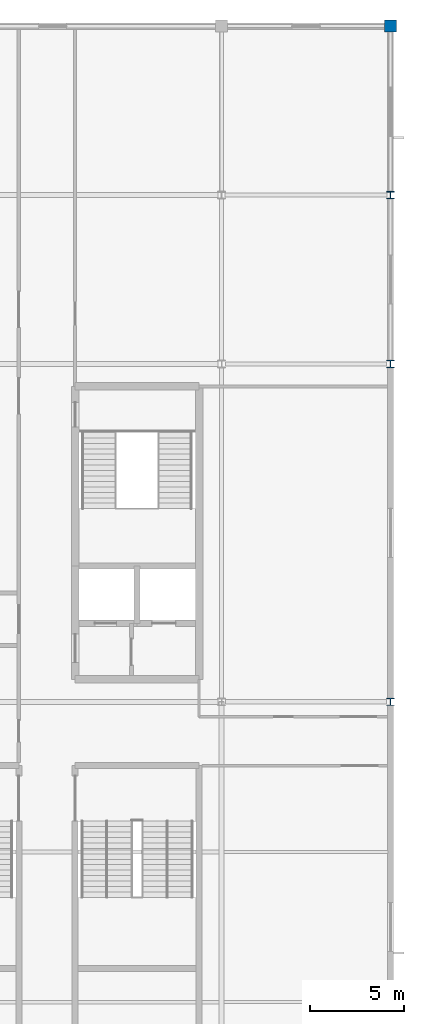
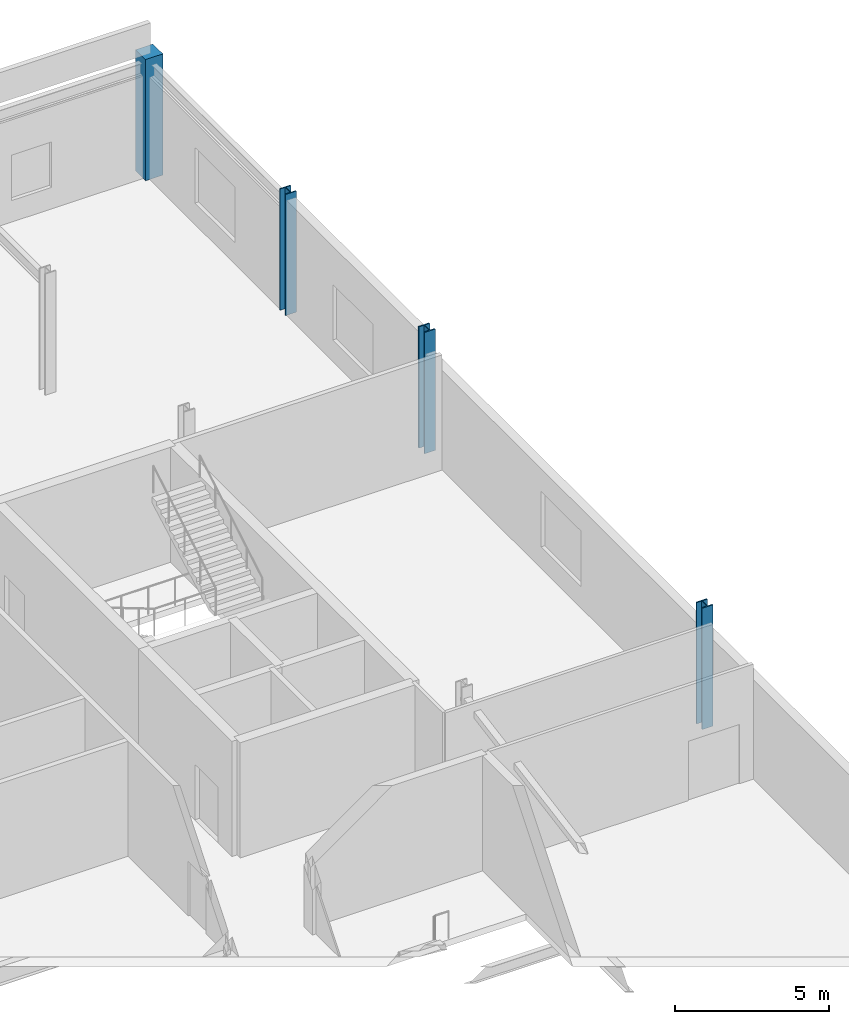
# One storey, part 11 of 136: 4 columns.
"""IFC4 building model written with IfcOpenShell, lengths in metres."""

from ifc_helpers import new_model, si_unit, direction, frame, origin, origin_2d, place, context, subcontext, project, spatial, rectangle, i_section, extrude, material, material_profile, profile_set, type_object, element, save


model = new_model("IFC4")

# Units and contexts
model_context = context("Model", 3, precision=1e-05, world=origin(), true_north=direction((0.0, 1.0)))
body_context = subcontext(model_context, "Body", "Model", "MODEL_VIEW")
ifc_project = project(units=[si_unit("LENGTHUNIT", "METRE"), si_unit("AREAUNIT", "SQUARE_METRE"), si_unit("VOLUMEUNIT", "CUBIC_METRE"), si_unit("PLANEANGLEUNIT", "RADIAN"), si_unit("MASSUNIT", "GRAM", prefix="KILO")], contexts=[model_context])

# Site, building, storey
site_placement = place(None, origin())
site = spatial("IfcSite", under=ifc_project, at=site_placement, CompositionType="ELEMENT")
building_placement = place(site_placement, origin())
building = spatial("IfcBuilding", under=site, at=building_placement, Name="Kisiwana Market Hall", CompositionType="ELEMENT")
storey_placement = place(building_placement, frame((0.0, 0.0, 16.800048828125)))
storey = spatial("IfcBuildingStorey", under=building, at=storey_placement, Name="L03", CompositionType="ELEMENT", Elevation=16.800048828125)

# Columns
ifc_material_1 = material(Name="Concrete C40/50", Category="concrete")
ifc_material_profile_1 = material_profile(ifc_material_1, rectangle(XDim=0.64990234375, YDim=0.64990234375, at=origin_2d()), Name="RC 650x650")
ifc_profile_set_1 = profile_set([ifc_material_profile_1], Name="Concrete C40/50")
column_type_1 = type_object("IfcColumnType", Name="COL-RC-POD-650", PredefinedType="COLUMN", material=ifc_profile_set_1)
column_1_placement = place(storey_placement, frame((198.0, 120.0, 0.0), z_axis=(0.0, 0.0, 1.0), x_axis=(1.0, 0.0, 0.0)))
element("IfcColumn", 1, at=column_1_placement, inside=storey, type_object=column_type_1, Name="Column Q/23 (L03) C-0783", PredefinedType="COLUMN", context=body_context, shape_type="SweptSolid", body=[
    extrude(rectangle(XDim=0.64990234375, YDim=0.64990234375, at=origin_2d()), origin(), (0.0, 0.0, 1.0), 4.800048828125),
])
ifc_material_2 = material(Name="Steel S355", Category="steel")
ifc_material_profile_2 = material_profile(ifc_material_2, i_section(OverallWidth=0.406005859375, OverallDepth=0.416015625, WebThickness=0.02978515625, FlangeThickness=0.048095703125, at=origin_2d()), Name="HD 400x382")
ifc_profile_set_2 = profile_set([ifc_material_profile_2], Name="Steel S355")
column_type_2 = type_object("IfcColumnType", Name="COL-STL-HD382", PredefinedType="COLUMN", material=ifc_profile_set_2)
for number, where, z_axis, x_axis, name in (
    (2, (198.0, 84.0, 0.0), (0.0, 0.0, 1.0), (1.0, 0.0, 0.0), "Column L/23 (L03) C-0780"),
    (3, (198.0, 102.0, 0.0), (0.0, 0.0, 1.0), (1.0, 0.0, 0.0), "Column N/23 (L03) C-0781"),
):
    element("IfcColumn", number, at=place(storey_placement, frame(where, z_axis=z_axis, x_axis=x_axis)), inside=storey, type_object=column_type_2, Name=name, PredefinedType="COLUMN", context=body_context, shape_type="SweptSolid", body=[
        extrude(i_section(OverallWidth=0.406005859375, OverallDepth=0.416015625, WebThickness=0.02978515625, FlangeThickness=0.048095703125, at=origin_2d()), origin(), (0.0, 0.0, 1.0), 4.800048828125),
    ])
ifc_material_3 = material(Name="Steel S355", Category="steel")
ifc_material_profile_3 = material_profile(ifc_material_3, i_section(OverallWidth=0.39892578125, OverallDepth=0.3935546875, WebThickness=0.022705078125, FlangeThickness=0.03662109375, at=origin_2d()), Name="UC 356x406x287")
ifc_profile_set_3 = profile_set([ifc_material_profile_3], Name="Steel S355")
column_type_3 = type_object("IfcColumnType", Name="COL-STL-UC287", PredefinedType="COLUMN", material=ifc_profile_set_3)
column_2_placement = place(storey_placement, frame((198.0, 111.0, 0.0), z_axis=(0.0, 0.0, 1.0), x_axis=(1.0, 0.0, 0.0)))
element("IfcColumn", 4, at=column_2_placement, inside=storey, type_object=column_type_3, Name="Column P/23 (L03) C-0782", PredefinedType="COLUMN", context=body_context, shape_type="SweptSolid", body=[
    extrude(i_section(OverallWidth=0.39892578125, OverallDepth=0.3935546875, WebThickness=0.022705078125, FlangeThickness=0.03662109375, at=origin_2d()), origin(), (0.0, 0.0, 1.0), 4.800048828125),
])

save(model, "model.ifc")
